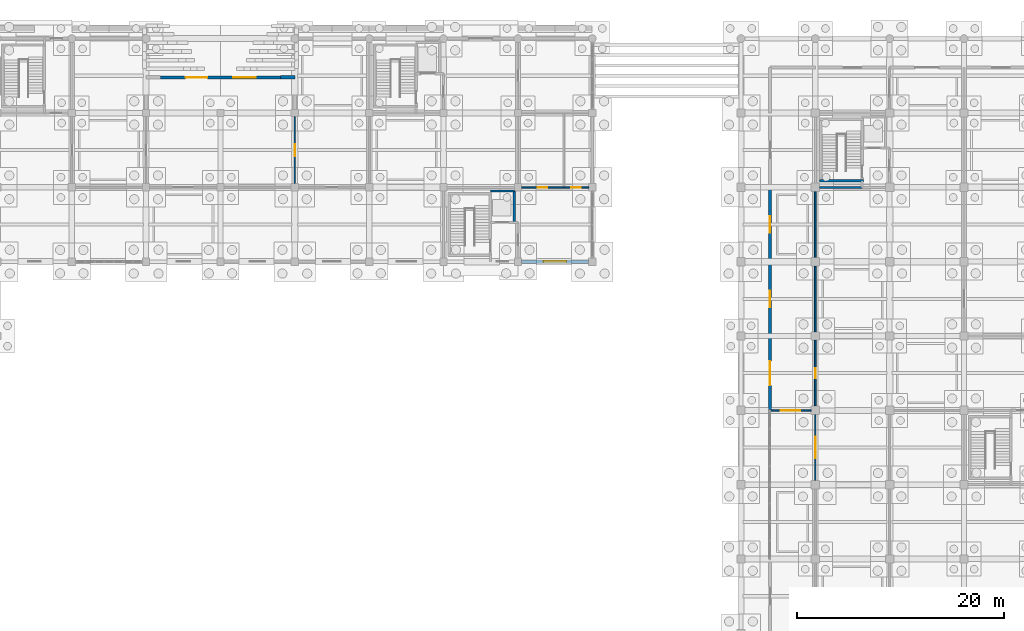
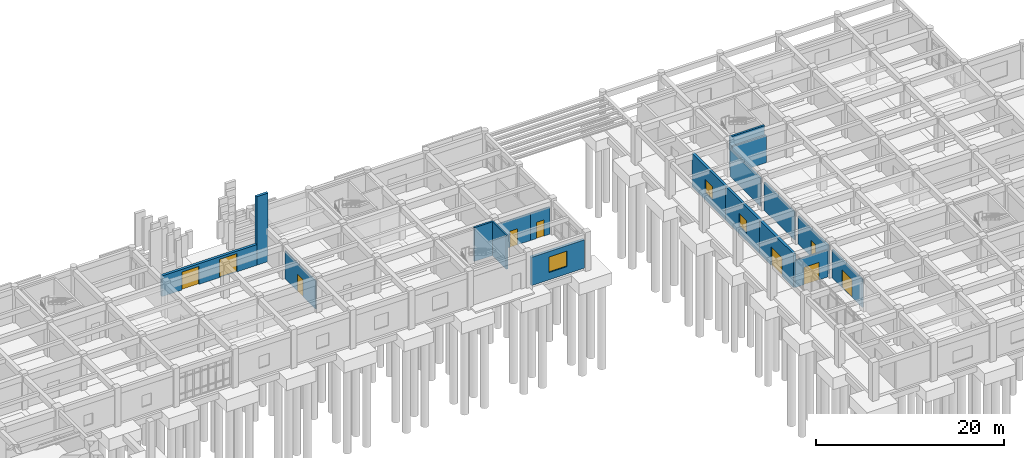
# One storey, part 64 of 79: 18 walls, 9 doors, 3 windows, 12 openings.
"""IFC4 building model written with IfcOpenShell, lengths in metres."""

from ifc_helpers import new_model, si_unit, direction, frame, frame_2d, origin, place, context, subcontext, project, spatial, rectangle, extrude, material, layer, layer_set, type_object, element, fill, save


model = new_model("IFC4")

# Units and contexts
model_context = context("Model", 3, precision=1e-05, world=origin(), true_north=direction((0.0, 1.0)))
body_context = subcontext(model_context, "Body", "Model", "MODEL_VIEW")
ifc_project = project(units=[si_unit("LENGTHUNIT", "METRE"), si_unit("AREAUNIT", "SQUARE_METRE"), si_unit("VOLUMEUNIT", "CUBIC_METRE"), si_unit("PLANEANGLEUNIT", "RADIAN"), si_unit("MASSUNIT", "GRAM", prefix="KILO")], contexts=[model_context])

# Site, building, storey
site_placement = place(None, origin())
site = spatial("IfcSite", under=ifc_project, at=site_placement, CompositionType="ELEMENT")
building_placement = place(site_placement, origin())
building = spatial("IfcBuilding", under=site, at=building_placement, Name="Kavelor Marine Aquarium", CompositionType="ELEMENT")
storey_placement = place(building_placement, origin())
storey = spatial("IfcBuildingStorey", under=building, at=storey_placement, Name="L00", CompositionType="ELEMENT", Elevation=0.0)

# Wall
ifc_material_1 = material(Name="Concrete C45/55", Category="concrete")
ifc_layer_1 = layer(ifc_material_1, 0.360107421875)
ifc_layer_set_1 = layer_set([ifc_layer_1], Name="WL-EX1")
wall_type_1 = type_object("IfcWallType", Name="WL-EX1", PredefinedType="STANDARD", material=ifc_layer_set_1)
wall_1_placement = place(storey_placement, frame((73.800048828125, 107.0400390625, 0.0), z_axis=(0.0, 0.0, 1.0), x_axis=(1.0, 0.0, 0.0)))
element("IfcWall", 1, at=wall_1_placement, inside=storey, type_object=wall_type_1, Name="ew:portal:north:jamb:r", PredefinedType="STANDARD", context=body_context, shape_type="SweptSolid", body=[
    extrude(rectangle(XDim=1.39990234375, YDim=0.340087890625, at=frame_2d((0.699951171875, 0.0))), origin(), (0.0, 0.0, 1.0), 8.8701171875),
])

# Wall, opening, window
ifc_material_2 = material(Name="Concrete C45/55", Category="concrete")
ifc_layer_2 = layer(ifc_material_2, 0.320068359375)
ifc_layer_set_2 = layer_set([ifc_layer_2], Name="WL-EX2")
wall_type_2 = type_object("IfcWallType", Name="WL-EX2", PredefinedType="STANDARD", material=ifc_layer_set_2)
wall_2_placement = place(storey_placement, frame((103.655029296875, 89.199951171875, 0.0), z_axis=(0.0, 0.0, 1.0), x_axis=(-1.0, 0.0, 0.0)))
wall_2 = element("IfcWall", 2, at=wall_2_placement, inside=storey, type_object=wall_type_2, Name="ew:x:L00:13_12", PredefinedType="STANDARD", context=body_context, shape_type="SweptSolid", body=[
    extrude(rectangle(XDim=6.510009765625, YDim=0.320068359375, at=frame_2d((3.2548828125, 0.0))), origin(), (0.0, 0.0, 1.0), 3.669921875),
])
opening_1_placement = place(wall_2_placement, frame((2.155029296875, 0.0, 0.949951171875)))
opening_1 = element("IfcOpeningElement", 3, at=opening_1_placement, cuts=wall_2, Name="Opening W12", PredefinedType="OPENING", context=body_context, shape_type="SweptSolid", body=[
    extrude(rectangle(XDim=2.199951171875, YDim=2.0, at=frame_2d((1.10009765625, 1.0))), frame((0.0, 0.169921875, 0.0), z_axis=(0.0, -1.0, 0.0), x_axis=(1.0, 0.0, 0.0)), (0.0, 0.0, 1.0), 0.340068),
])
ifc_material_3 = material(Name="Anodised Aluminium Frame with Low-E Double Glazing", Category="aluminium")
window_type_1 = type_object("IfcWindowType", Name="WIN-W12", PartitioningType="DOUBLE_PANEL_VERTICAL", PredefinedType="WINDOW", material=ifc_material_3)
window_1_placement = place(opening_1_placement, origin())
window_1 = element("IfcWindow", 4, at=window_1_placement, inside=storey, type_object=window_type_1, Name="win:x:L00:13_12", OverallHeight=2.0, OverallWidth=2.199951171875, PartitioningType="SINGLE_PANEL", PredefinedType="WINDOW", context=body_context, shape_type="SweptSolid", body=[
    extrude(rectangle(XDim=2.199951171875, YDim=2.0, at=frame_2d((1.10009765625, 1.0))), frame((0.0, 0.030029296875, 0.0), z_axis=(0.0, -1.0, 0.0), x_axis=(1.0, 0.0, 0.0)), (0.0, 0.0, 1.0), 0.06005859375),
])
fill(opening_1, window_1)

# Wall, opening, door
wall_3_placement = place(storey_placement, frame((121.199951171875, 74.800048828125, 0.0), z_axis=(0.0, 0.0, 1.0), x_axis=(0.0, 1.0, 0.0)))
wall_3 = element("IfcWall", 5, at=wall_3_placement, inside=storey, type_object=wall_type_2, Name="ew:arc:v6w:10", PredefinedType="STANDARD", context=body_context, shape_type="SweptSolid", body=[
    extrude(rectangle(XDim=7.199951171875, YDim=0.300048828125, at=frame_2d((3.60009765625, 0.0))), origin(), (0.0, 0.0, 1.0), 4.3701171875),
])
opening_2_placement = place(wall_3_placement, frame((2.429931640625, 0.0, 0.0)))
opening_2 = element("IfcOpeningElement", 6, at=opening_2_placement, cuts=wall_3, Name="Opening ED12", PredefinedType="OPENING", context=body_context, shape_type="SweptSolid", body=[
    extrude(rectangle(XDim=2.340087890625, YDim=2.419921875, at=frame_2d((1.169921875, 1.2099609375))), frame((0.0, 0.159912109375, 0.0), z_axis=(0.0, -1.0, 0.0), x_axis=(1.0, 0.0, 0.0)), (0.0, 0.0, 1.0), 0.320049),
])
ifc_material_4 = material(Name="Marine-Grade Anodised Aluminium and Laminated Safety Glass", Category="aluminium")
door_type_1 = type_object("IfcDoorType", Name="DR-ED12", OperationType="NOTDEFINED", PredefinedType="DOOR", material=ifc_material_4)
door_1_placement = place(opening_2_placement, origin())
door_1 = element("IfcDoor", 7, at=door_1_placement, inside=storey, type_object=door_type_1, Name="Research Passage Arcade Entrance Door ED12", OperationType="DOUBLE_DOOR_SINGLE_SWING", OverallHeight=2.419921875, OverallWidth=2.340087890625, PredefinedType="DOOR", context=body_context, shape_type="SweptSolid", body=[
    extrude(rectangle(XDim=2.340087890625, YDim=2.419921875, at=frame_2d((1.169921875, 1.2099609375))), frame((0.0, 0.02490234375, 0.0), z_axis=(0.0, -1.0, 0.0), x_axis=(1.0, 0.0, 0.0)), (0.0, 0.0, 1.0), 0.050048828125),
])
fill(opening_2, door_1)

# Wall, opening, window
wall_4_placement = place(storey_placement, frame((121.199951171875, 82.0, 0.0), z_axis=(0.0, 0.0, 1.0), x_axis=(0.0, 1.0, 0.0)))
wall_4 = element("IfcWall", 8, at=wall_4_placement, inside=storey, type_object=wall_type_2, Name="ew:arc:v6w:11", PredefinedType="STANDARD", context=body_context, shape_type="SweptSolid", body=[
    extrude(rectangle(XDim=7.199951171875, YDim=0.300048828125, at=frame_2d((3.60009765625, 0.0))), origin(), (0.0, 0.0, 1.0), 4.3701171875),
])
opening_3_placement = place(wall_4_placement, frame((2.800048828125, 0.0, 0.949951171875)))
opening_3 = element("IfcOpeningElement", 9, at=opening_3_placement, cuts=wall_4, Name="Opening W06", PredefinedType="OPENING", context=body_context, shape_type="SweptSolid", body=[
    extrude(rectangle(XDim=1.60009765625, YDim=1.699951171875, at=frame_2d((0.800048828125, 0.85009765625))), frame((0.0, 0.159912109375, 0.0), z_axis=(0.0, -1.0, 0.0), x_axis=(1.0, 0.0, 0.0)), (0.0, 0.0, 1.0), 0.320049),
])
ifc_material_5 = material(Name="Anodised Aluminium Frame with Low-E Double Glazing", Category="aluminium")
window_type_2 = type_object("IfcWindowType", Name="WIN-W06", PartitioningType="SINGLE_PANEL", PredefinedType="WINDOW", material=ifc_material_5)
window_2_placement = place(opening_3_placement, origin())
window_2 = element("IfcWindow", 10, at=window_2_placement, inside=storey, type_object=window_type_2, Name="win:arc:v6w:11", OverallHeight=1.699951171875, OverallWidth=1.60009765625, PartitioningType="SINGLE_PANEL", PredefinedType="WINDOW", context=body_context, shape_type="SweptSolid", body=[
    extrude(rectangle(XDim=1.60009765625, YDim=1.699951171875, at=frame_2d((0.800048828125, 0.85009765625))), frame((0.0, 0.030029296875, 0.0), z_axis=(0.0, -1.0, 0.0), x_axis=(1.0, 0.0, 0.0)), (0.0, 0.0, 1.0), 0.06005859375),
])
fill(opening_3, window_2)

wall_5_placement = place(storey_placement, frame((121.199951171875, 89.199951171875, 0.0), z_axis=(0.0, 0.0, 1.0), x_axis=(0.0, 1.0, 0.0)))
wall_5 = element("IfcWall", 11, at=wall_5_placement, inside=storey, type_object=wall_type_2, Name="ew:arc:v6w:12", PredefinedType="STANDARD", context=body_context, shape_type="SweptSolid", body=[
    extrude(rectangle(XDim=7.199951171875, YDim=0.300048828125, at=frame_2d((3.60009765625, 0.0))), origin(), (0.0, 0.0, 1.0), 4.3701171875),
])
opening_4_placement = place(wall_5_placement, frame((2.800048828125, 0.0, 0.949951171875)))
opening_4 = element("IfcOpeningElement", 12, at=opening_4_placement, cuts=wall_5, Name="Opening W06", PredefinedType="OPENING", context=body_context, shape_type="SweptSolid", body=[
    extrude(rectangle(XDim=1.60009765625, YDim=1.699951171875, at=frame_2d((0.800048828125, 0.85009765625))), frame((0.0, 0.159912109375, 0.0), z_axis=(0.0, -1.0, 0.0), x_axis=(1.0, 0.0, 0.0)), (0.0, 0.0, 1.0), 0.320049),
])
window_3_placement = place(opening_4_placement, origin())
window_3 = element("IfcWindow", 13, at=window_3_placement, inside=storey, type_object=window_type_2, Name="win:arc:v6w:12", OverallHeight=1.699951171875, OverallWidth=1.60009765625, PartitioningType="SINGLE_PANEL", PredefinedType="WINDOW", context=body_context, shape_type="SweptSolid", body=[
    extrude(rectangle(XDim=1.60009765625, YDim=1.699951171875, at=frame_2d((0.800048828125, 0.85009765625))), frame((0.0, 0.030029296875, 0.0), z_axis=(0.0, -1.0, 0.0), x_axis=(1.0, 0.0, 0.0)), (0.0, 0.0, 1.0), 0.06005859375),
])
fill(opening_4, window_3)

# Wall, openings, doors
wall_6_placement = place(storey_placement, frame((62.199951171875, 107.0400390625, 0.0), z_axis=(0.0, 0.0, 1.0), x_axis=(1.0, 0.0, 0.0)))
wall_6 = element("IfcWall", 14, at=wall_6_placement, inside=storey, type_object=wall_type_2, Name="ew:portal:north:thresh", PredefinedType="STANDARD", context=body_context, shape_type="SweptSolid", body=[
    extrude(rectangle(XDim=11.60009765625, YDim=0.320068359375, at=frame_2d((5.800048828125, 0.0))), origin(), (0.0, 0.0, 1.0), 2.679931640625),
])
opening_5_placement = place(wall_6_placement, frame((2.429931640625, 0.0, 0.0)))
opening_5 = element("IfcOpeningElement", 15, at=opening_5_placement, cuts=wall_6, Name="Opening ED08", PredefinedType="OPENING", context=body_context, shape_type="SweptSolid", body=[
    extrude(rectangle(XDim=2.10009765625, YDim=2.340087890625, at=frame_2d((1.050048828125, 1.169921875))), frame((0.0, 0.169921875, 0.0), z_axis=(0.0, -1.0, 0.0), x_axis=(1.0, 0.0, 0.0)), (0.0, 0.0, 1.0), 0.340068),
])
opening_6_placement = place(wall_6_placement, frame((7.0400390625, 0.0, 0.0)))
opening_6 = element("IfcOpeningElement", 16, at=opening_6_placement, cuts=wall_6, Name="Opening ED09", PredefinedType="OPENING", context=body_context, shape_type="SweptSolid", body=[
    extrude(rectangle(XDim=2.159912109375, YDim=2.360107421875, at=frame_2d((1.080078125, 1.18017578125))), frame((0.0, 0.169921875, 0.0), z_axis=(0.0, -1.0, 0.0), x_axis=(1.0, 0.0, 0.0)), (0.0, 0.0, 1.0), 0.340068),
])
ifc_material_6 = material(Name="Marine-Grade Anodised Aluminium and Laminated Safety Glass", Category="aluminium")
door_type_2 = type_object("IfcDoorType", Name="DR-ED08", OperationType="NOTDEFINED", PredefinedType="DOOR", material=ifc_material_6)
door_2_placement = place(opening_5_placement, origin())
door_2 = element("IfcDoor", 17, at=door_2_placement, inside=storey, type_object=door_type_2, Name="Portal Arched Entrance Door ED08", OperationType="DOUBLE_DOOR_SINGLE_SWING", OverallHeight=2.340087890625, OverallWidth=2.10009765625, PredefinedType="DOOR", context=body_context, shape_type="SweptSolid", body=[
    extrude(rectangle(XDim=2.10009765625, YDim=2.340087890625, at=frame_2d((1.050048828125, 1.169921875))), frame((0.0, 0.02490234375, 0.0), z_axis=(0.0, -1.0, 0.0), x_axis=(1.0, 0.0, 0.0)), (0.0, 0.0, 1.0), 0.050048828125),
])
fill(opening_5, door_2)
ifc_material_7 = material(Name="Marine-Grade Anodised Aluminium and Laminated Safety Glass", Category="aluminium")
door_type_3 = type_object("IfcDoorType", Name="DR-ED09", OperationType="NOTDEFINED", PredefinedType="DOOR", material=ifc_material_7)
door_3_placement = place(opening_6_placement, origin())
door_3 = element("IfcDoor", 18, at=door_3_placement, inside=storey, type_object=door_type_3, Name="Portal Arched Entrance Door ED09", OperationType="DOUBLE_DOOR_SINGLE_SWING", OverallHeight=2.360107421875, OverallWidth=2.159912109375, PredefinedType="DOOR", context=body_context, shape_type="SweptSolid", body=[
    extrude(rectangle(XDim=2.159912109375, YDim=2.360107421875, at=frame_2d((1.080078125, 1.18017578125))), frame((0.0, 0.02490234375, 0.0), z_axis=(0.0, -1.0, 0.0), x_axis=(1.0, 0.0, 0.0)), (0.0, 0.0, 1.0), 0.050048828125),
])
fill(opening_6, door_3)

# Wall
ifc_material_8 = material(Name="Concrete Blockwork Partition", Category="masonry")
ifc_layer_3 = layer(ifc_material_8, 0.199951171875)
ifc_layer_set_3 = layer_set([ifc_layer_3], Name="WL-PT1")
wall_type_3 = type_object("IfcWallType", Name="WL-PT1", PredefinedType="PARTITIONING", material=ifc_layer_set_3)
wall_7_placement = place(storey_placement, frame((126.0, 96.39990234375, 0.0), z_axis=(0.0, 0.0, 1.0), x_axis=(1.0, 0.0, 0.0)))
element("IfcWall", 19, at=wall_7_placement, inside=storey, type_object=wall_type_3, Name="pt:lob:C10:L00:s_st", PredefinedType="PARTITIONING", context=body_context, shape_type="SweptSolid", body=[
    extrude(rectangle(XDim=4.139892578125, YDim=0.199951171875, at=frame_2d((2.06982421875, 0.0))), origin(), (0.0, 0.0, 1.0), 3.52001953125),
])

# Wall, opening, door
ifc_material_9 = material(Name="Acoustic Gypsum Stud Partition")
ifc_layer_4 = layer(ifc_material_9, 0.159912109375)
ifc_layer_set_4 = layer_set([ifc_layer_4], Name="WL-PT2")
wall_type_4 = type_object("IfcWallType", Name="WL-PT2", PredefinedType="PARTITIONING", material=ifc_layer_set_4)
wall_8_placement = place(storey_placement, frame((125.60009765625, 68.0, 0.0), z_axis=(0.0, 0.0, 1.0), x_axis=(0.0, 1.0, 0.0)))
wall_8 = element("IfcWall", 20, at=wall_8_placement, inside=storey, type_object=wall_type_4, Name="pt:y:L00:16_09", PredefinedType="PARTITIONING", context=body_context, shape_type="SweptSolid", body=[
    extrude(rectangle(XDim=6.39990234375, YDim=0.159912109375, at=frame_2d((3.199951171875, 0.0))), origin(), (0.0, 0.0, 1.0), 3.6201171875),
])
opening_7_placement = place(wall_8_placement, frame((2.169921875, 0.0, 0.0)))
opening_7 = element("IfcOpeningElement", 21, at=opening_7_placement, cuts=wall_8, Name="Opening D14", PredefinedType="OPENING", context=body_context, shape_type="SweptSolid", body=[
    extrude(rectangle(XDim=2.06005859375, YDim=2.280029296875, at=frame_2d((1.030029296875, 1.14013671875))), frame((0.0, 0.08984375, 0.0), z_axis=(0.0, -1.0, 0.0), x_axis=(1.0, 0.0, 0.0)), (0.0, 0.0, 1.0), 0.179912),
])
ifc_material_10 = material(Name="LSS Filtration Equipment Double Door")
door_type_4 = type_object("IfcDoorType", Name="DR-D14", OperationType="NOTDEFINED", PredefinedType="DOOR", material=ifc_material_10)
door_4_placement = place(opening_7_placement, origin())
door_4 = element("IfcDoor", 22, at=door_4_placement, inside=storey, type_object=door_type_4, Name="dr:rm:pt:y:L00:16_09:1", OperationType="DOUBLE_DOOR_SINGLE_SWING", OverallHeight=2.280029296875, OverallWidth=2.06005859375, PredefinedType="DOOR", context=body_context, shape_type="SweptSolid", body=[
    extrude(rectangle(XDim=2.06005859375, YDim=2.280029296875, at=frame_2d((1.030029296875, 1.14013671875))), frame((0.0, 0.02490234375, 0.0), z_axis=(0.0, -1.0, 0.0), x_axis=(1.0, 0.0, 0.0)), (0.0, 0.0, 1.0), 0.050048828125),
])
fill(opening_7, door_4)

wall_9_placement = place(storey_placement, frame((121.199951171875, 74.800048828125, 0.0), z_axis=(0.0, 0.0, 1.0), x_axis=(1.0, 0.0, 0.0)))
wall_9 = element("IfcWall", 23, at=wall_9_placement, inside=storey, type_object=wall_type_4, Name="pt:x:L00:16_09", PredefinedType="PARTITIONING", context=body_context, shape_type="SweptSolid", body=[
    extrude(rectangle(XDim=4.0, YDim=0.159912109375, at=frame_2d((2.0, 0.0))), origin(), (0.0, 0.0, 1.0), 3.52001953125),
])
opening_8_placement = place(wall_9_placement, frame((1.070068359375, 0.0, 0.0)))
opening_8 = element("IfcOpeningElement", 24, at=opening_8_placement, cuts=wall_9, Name="Opening D13", PredefinedType="OPENING", context=body_context, shape_type="SweptSolid", body=[
    extrude(rectangle(XDim=1.860107421875, YDim=2.260009765625, at=frame_2d((0.93017578125, 1.1298828125))), frame((0.0, 0.08984375, 0.0), z_axis=(0.0, -1.0, 0.0), x_axis=(1.0, 0.0, 0.0)), (0.0, 0.0, 1.0), 0.179912),
])
ifc_material_11 = material(Name="Main Foyer Exhibition Double Door")
door_type_5 = type_object("IfcDoorType", Name="DR-D13", OperationType="NOTDEFINED", PredefinedType="DOOR", material=ifc_material_11)
door_5_placement = place(opening_8_placement, origin())
door_5 = element("IfcDoor", 25, at=door_5_placement, inside=storey, type_object=door_type_5, Name="dr:rm:pt:x:L00:16_09:0", OperationType="DOUBLE_DOOR_SINGLE_SWING", OverallHeight=2.260009765625, OverallWidth=1.860107421875, PredefinedType="DOOR", context=body_context, shape_type="SweptSolid", body=[
    extrude(rectangle(XDim=1.860107421875, YDim=2.260009765625, at=frame_2d((0.93017578125, 1.1298828125))), frame((0.0, 0.02490234375, 0.0), z_axis=(0.0, -1.0, 0.0), x_axis=(1.0, 0.0, 0.0)), (0.0, 0.0, 1.0), 0.050048828125),
])
fill(opening_8, door_5)

wall_10_placement = place(storey_placement, frame((125.60009765625, 75.199951171875, 0.0), z_axis=(0.0, 0.0, 1.0), x_axis=(0.0, 1.0, 0.0)))
wall_10 = element("IfcWall", 26, at=wall_10_placement, inside=storey, type_object=wall_type_4, Name="pt:y:L00:16_10", PredefinedType="PARTITIONING", context=body_context, shape_type="SweptSolid", body=[
    extrude(rectangle(XDim=6.400146484375, YDim=0.159912109375, at=frame_2d((3.2001953125, 0.0))), origin(), (0.0, 0.0, 1.0), 3.6201171875),
])
opening_9_placement = place(wall_10_placement, frame((2.7099609375, 0.0, 0.0)))
opening_9 = element("IfcOpeningElement", 27, at=opening_9_placement, cuts=wall_10, Name="Opening D07", PredefinedType="OPENING", context=body_context, shape_type="SweptSolid", body=[
    extrude(rectangle(XDim=0.97998046875, YDim=2.1201171875, at=frame_2d((0.489990234375, 1.06005859375))), frame((0.0, 0.08984375, 0.0), z_axis=(0.0, -1.0, 0.0), x_axis=(1.0, 0.0, 0.0)), (0.0, 0.0, 1.0), 0.179912),
])
ifc_material_12 = material(Name="Research Write-Up Timber Door", Category="wood")
door_type_6 = type_object("IfcDoorType", Name="DR-D07", OperationType="NOTDEFINED", PredefinedType="DOOR", material=ifc_material_12)
door_6_placement = place(opening_9_placement, origin())
door_6 = element("IfcDoor", 28, at=door_6_placement, inside=storey, type_object=door_type_6, Name="dr:rm:pt:y:L00:16_10:0", OperationType="SINGLE_SWING_RIGHT", OverallHeight=2.1201171875, OverallWidth=0.97998046875, PredefinedType="DOOR", context=body_context, shape_type="SweptSolid", body=[
    extrude(rectangle(XDim=0.97998046875, YDim=2.1201171875, at=frame_2d((0.489990234375, 1.06005859375))), frame((0.0, 0.02490234375, 0.0), z_axis=(0.0, -1.0, 0.0), x_axis=(1.0, 0.0, 0.0)), (0.0, 0.0, 1.0), 0.050048828125),
])
fill(opening_9, door_6)

# Walls
wall_11_placement = place(storey_placement, frame((125.60009765625, 82.39990234375, 0.0), z_axis=(0.0, 0.0, 1.0), x_axis=(0.0, 1.0, 0.0)))
element("IfcWall", 29, at=wall_11_placement, inside=storey, type_object=wall_type_4, Name="pt:y:L00:16_11", PredefinedType="PARTITIONING", context=body_context, shape_type="SweptSolid", body=[
    extrude(rectangle(XDim=6.400146484375, YDim=0.159912109375, at=frame_2d((3.2001953125, 0.0))), origin(), (0.0, 0.0, 1.0), 3.6201171875),
])
wall_12_placement = place(storey_placement, frame((125.60009765625, 89.60009765625, 0.0), z_axis=(0.0, 0.0, 1.0), x_axis=(0.0, 1.0, 0.0)))
element("IfcWall", 30, at=wall_12_placement, inside=storey, type_object=wall_type_4, Name="pt:y:L00:16_12", PredefinedType="PARTITIONING", context=body_context, shape_type="SweptSolid", body=[
    extrude(rectangle(XDim=6.39990234375, YDim=0.159912109375, at=frame_2d((3.199951171875, 0.0))), origin(), (0.0, 0.0, 1.0), 3.6201171875),
])

# Wall, opening, door
ifc_material_13 = material(Name="Moisture-Resistant Marine Partition")
ifc_layer_5 = layer(ifc_material_13, 0.139892578125)
ifc_layer_set_5 = layer_set([ifc_layer_5], Name="WL-PT3")
wall_type_5 = type_object("IfcWallType", Name="WL-PT3", PredefinedType="PARTITIONING", material=ifc_layer_set_5)
wall_13_placement = place(storey_placement, frame((97.14990234375, 96.39990234375, 0.0), z_axis=(0.0, 0.0, 1.0), x_axis=(1.0, 0.0, 0.0)))
wall_13 = element("IfcWall", 31, at=wall_13_placement, inside=storey, type_object=wall_type_5, Name="pt:san:f1:L00:13_13", PredefinedType="PARTITIONING", context=body_context, shape_type="SweptSolid", body=[
    extrude(rectangle(XDim=4.10009765625, YDim=0.139892578125, at=frame_2d((2.050048828125, 0.0))), origin(), (0.0, 0.0, 1.0), 3.52001953125),
])
opening_10_placement = place(wall_13_placement, frame((1.590087890625, 0.0, 0.0)))
opening_10 = element("IfcOpeningElement", 32, at=opening_10_placement, cuts=wall_13, Name="Opening D02", PredefinedType="OPENING", context=body_context, shape_type="SweptSolid", body=[
    extrude(rectangle(XDim=0.919921875, YDim=2.080078125, at=frame_2d((0.4599609375, 1.0400390625))), frame((0.0, 0.079833984375, 0.0), z_axis=(0.0, -1.0, 0.0), x_axis=(1.0, 0.0, 0.0)), (0.0, 0.0, 1.0), 0.159893),
])
ifc_material_14 = material(Name="Moisture-Resistant Laminate Sanitary Door")
door_type_7 = type_object("IfcDoorType", Name="DR-D02", OperationType="NOTDEFINED", PredefinedType="DOOR", material=ifc_material_14)
door_7_placement = place(opening_10_placement, origin())
door_7 = element("IfcDoor", 33, at=door_7_placement, inside=storey, type_object=door_type_7, Name="dr:wc:L00:13_13", OperationType="SINGLE_SWING_LEFT", OverallHeight=2.080078125, OverallWidth=0.919921875, PredefinedType="DOOR", context=body_context, shape_type="SweptSolid", body=[
    extrude(rectangle(XDim=0.919921875, YDim=2.080078125, at=frame_2d((0.4599609375, 1.0400390625))), frame((0.0, 0.02490234375, 0.0), z_axis=(0.0, -1.0, 0.0), x_axis=(1.0, 0.0, 0.0)), (0.0, 0.0, 1.0), 0.050048828125),
])
fill(opening_10, door_7)

wall_14_placement = place(storey_placement, frame((101.25, 96.39990234375, 0.0), z_axis=(0.0, 0.0, 1.0), x_axis=(1.0, 0.0, 0.0)))
wall_14 = element("IfcWall", 34, at=wall_14_placement, inside=storey, type_object=wall_type_5, Name="pt:san:f2:L00:13_13", PredefinedType="PARTITIONING", context=body_context, shape_type="SweptSolid", body=[
    extrude(rectangle(XDim=2.39990234375, YDim=0.139892578125, at=frame_2d((1.199951171875, 0.0))), origin(), (0.0, 0.0, 1.0), 3.52001953125),
])
opening_11_placement = place(wall_14_placement, frame((0.739990234375, 0.0, 0.0)))
opening_11 = element("IfcOpeningElement", 35, at=opening_11_placement, cuts=wall_14, Name="Opening D02", PredefinedType="OPENING", context=body_context, shape_type="SweptSolid", body=[
    extrude(rectangle(XDim=0.919921875, YDim=2.080078125, at=frame_2d((0.4599609375, 1.0400390625))), frame((0.0, 0.079833984375, 0.0), z_axis=(0.0, -1.0, 0.0), x_axis=(1.0, 0.0, 0.0)), (0.0, 0.0, 1.0), 0.159893),
])
door_8_placement = place(opening_11_placement, origin())
door_8 = element("IfcDoor", 36, at=door_8_placement, inside=storey, type_object=door_type_7, Name="dr:awc:L00:13_13", OperationType="SINGLE_SWING_RIGHT", OverallHeight=2.080078125, OverallWidth=0.919921875, PredefinedType="DOOR", context=body_context, shape_type="SweptSolid", body=[
    extrude(rectangle(XDim=0.919921875, YDim=2.080078125, at=frame_2d((0.4599609375, 1.0400390625))), frame((0.0, 0.02490234375, 0.0), z_axis=(0.0, -1.0, 0.0), x_axis=(1.0, 0.0, 0.0)), (0.0, 0.0, 1.0), 0.050048828125),
])
fill(opening_11, door_8)

ifc_material_15 = material(Name="Lightweight Drywall Partition")
ifc_layer_6 = layer(ifc_material_15, 0.1201171875)
ifc_layer_set_6 = layer_set([ifc_layer_6], Name="WL-PT4")
wall_type_6 = type_object("IfcWallType", Name="WL-PT4", PredefinedType="PARTITIONING", material=ifc_layer_set_6)
wall_15_placement = place(storey_placement, frame((75.199951171875, 96.75, 0.0), z_axis=(0.0, 0.0, 1.0), x_axis=(0.0, 1.0, 0.0)))
wall_15 = element("IfcWall", 37, at=wall_15_placement, inside=storey, type_object=wall_type_6, Name="pt:y:L00:09_13", PredefinedType="PARTITIONING", context=body_context, shape_type="SweptSolid", body=[
    extrude(rectangle(XDim=6.5, YDim=0.1201171875, at=frame_2d((3.25, 0.0))), origin(), (0.0, 0.0, 1.0), 3.6201171875),
])
opening_12_placement = place(wall_15_placement, frame((2.669921875, 0.0, 0.0)))
opening_12 = element("IfcOpeningElement", 38, at=opening_12_placement, cuts=wall_15, Name="Opening D09", PredefinedType="OPENING", context=body_context, shape_type="SweptSolid", body=[
    extrude(rectangle(XDim=1.159912109375, YDim=2.179931640625, at=frame_2d((0.580078125, 1.08984375))), frame((0.0, 0.070068359375, 0.0), z_axis=(0.0, -1.0, 0.0), x_axis=(1.0, 0.0, 0.0)), (0.0, 0.0, 1.0), 0.140117),
])
ifc_material_16 = material(Name="Husbandry Prep Marine Door")
door_type_8 = type_object("IfcDoorType", Name="DR-D09", OperationType="NOTDEFINED", PredefinedType="DOOR", material=ifc_material_16)
door_9_placement = place(opening_12_placement, origin())
door_9 = element("IfcDoor", 39, at=door_9_placement, inside=storey, type_object=door_type_8, Name="dr:rm:pt:y:L00:09_13:0", OperationType="SINGLE_SWING_LEFT", OverallHeight=2.179931640625, OverallWidth=1.159912109375, PredefinedType="DOOR", context=body_context, shape_type="SweptSolid", body=[
    extrude(rectangle(XDim=1.159912109375, YDim=2.179931640625, at=frame_2d((0.580078125, 1.08984375))), frame((0.0, 0.02490234375, 0.0), z_axis=(0.0, -1.0, 0.0), x_axis=(1.0, 0.0, 0.0)), (0.0, 0.0, 1.0), 0.050048828125),
])
fill(opening_12, door_9)

# Walls
ifc_material_17 = material(Name="Concrete C40/50", Category="concrete")
ifc_layer_7 = layer(ifc_material_17, 0.35009765625)
ifc_layer_set_7 = layer_set([ifc_layer_7], Name="WL-SW2")
wall_type_7 = type_object("IfcWallType", Name="WL-SW2", PredefinedType="SHEAR", material=ifc_layer_set_7)
wall_16_placement = place(storey_placement, frame((94.139892578125, 96.050048828125, 0.0), z_axis=(0.0, 0.0, 1.0), x_axis=(1.0, 0.0, 0.0)))
element("IfcWall", 40, at=wall_16_placement, inside=storey, type_object=wall_type_7, Name="cw_lf:n:C07:L00", PredefinedType="SHEAR", context=body_context, shape_type="SweptSolid", body=[
    extrude(rectangle(XDim=2.31005859375, YDim=0.219970703125, at=frame_2d((1.155029296875, 0.0))), origin(), (0.0, 0.0, 1.0), 4.3798828125),
])
wall_17_placement = place(storey_placement, frame((96.449951171875, 93.0, 0.0), z_axis=(0.0, 0.0, 1.0), x_axis=(0.0, 1.0, 0.0)))
element("IfcWall", 41, at=wall_17_placement, inside=storey, type_object=wall_type_7, Name="cw_lf:e:C07:L00", PredefinedType="SHEAR", context=body_context, shape_type="SweptSolid", body=[
    extrude(rectangle(XDim=3.050048828125, YDim=0.219970703125, at=frame_2d((1.52490234375, 0.0))), origin(), (0.0, 0.0, 1.0), 4.3798828125),
])
wall_18_placement = place(storey_placement, frame((126.02001953125, 97.02001953125, 0.0), z_axis=(0.0, 0.0, 1.0), x_axis=(1.0, 0.0, 0.0)))
element("IfcWall", 42, at=wall_18_placement, inside=storey, type_object=wall_type_7, Name="cw_st:s:C10:L00", PredefinedType="SHEAR", context=body_context, shape_type="SweptSolid", body=[
    extrude(rectangle(XDim=4.239990234375, YDim=0.239990234375, at=frame_2d((2.1201171875, 0.0))), origin(), (0.0, 0.0, 1.0), 4.3798828125),
])

save(model, "model.ifc")
